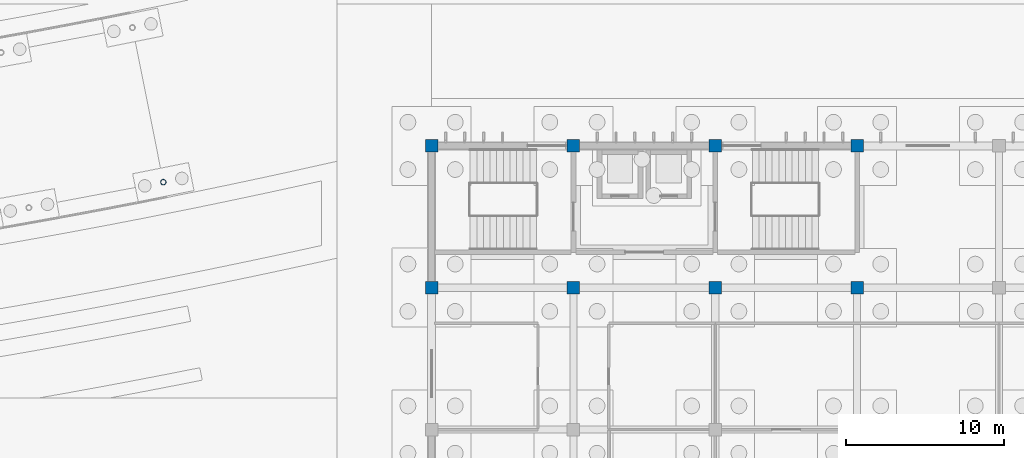
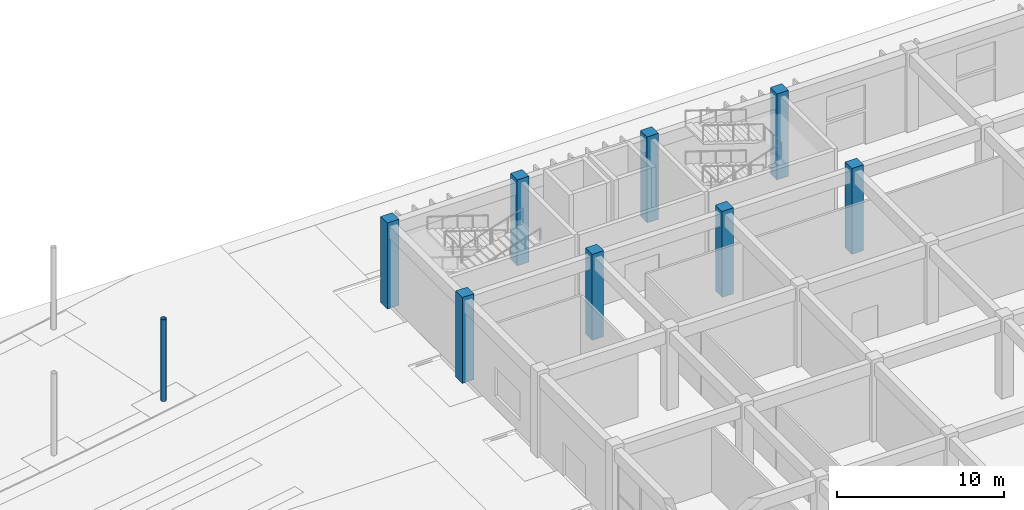
# One storey, part 33 of 198: 9 columns.
"""IFC4 building model written with IfcOpenShell, lengths in metres."""

from ifc_helpers import new_model, si_unit, direction, frame, origin, origin_2d, place, context, subcontext, project, spatial, rectangle, hollow_circle, extrude, material, material_profile, profile_set, type_object, element, save


model = new_model("IFC4")

# Units and contexts
model_context = context("Model", 3, precision=1e-05, world=origin(), true_north=direction((0.0, 1.0)))
body_context = subcontext(model_context, "Body", "Model", "MODEL_VIEW")
ifc_project = project(units=[si_unit("LENGTHUNIT", "METRE"), si_unit("AREAUNIT", "SQUARE_METRE"), si_unit("VOLUMEUNIT", "CUBIC_METRE"), si_unit("PLANEANGLEUNIT", "RADIAN"), si_unit("MASSUNIT", "GRAM", prefix="KILO")], contexts=[model_context])

# Site, building, storey
site_placement = place(None, origin())
site = spatial("IfcSite", under=ifc_project, at=site_placement, CompositionType="ELEMENT")
building_placement = place(site_placement, origin())
building = spatial("IfcBuilding", under=site, at=building_placement, Name="Opaline Strait Convention Centre", CompositionType="ELEMENT")
storey_placement = place(building_placement, origin())
storey = spatial("IfcBuildingStorey", under=building, at=storey_placement, Name="L00", CompositionType="ELEMENT", Elevation=0.0)

# Columns
ifc_material_1 = material(Name="Steel Q355B", Category="steel")
ifc_material_profile_1 = material_profile(ifc_material_1, hollow_circle(Radius=0.175537109375, WallThickness=0.01611328125, at=origin_2d()), Name="CHS 351x16")
ifc_profile_set_1 = profile_set([ifc_material_profile_1], Name="Steel Q355B")
column_type_1 = type_object("IfcColumnType", Name="Arcade column CHS 351x16", PredefinedType="COLUMN", material=ifc_profile_set_1)
column_placement = place(storey_placement, frame((261.980712890625, 177.697021484375, 0.0), z_axis=(0.0, 0.0, 1.0), x_axis=(1.0, 0.0, 0.0)))
element("IfcColumn", 1, at=column_placement, inside=storey, type_object=column_type_1, Name="Arcade column SC-I20", ObjectType="SCC1", PredefinedType="COLUMN", context=body_context, shape_type="SweptSolid", body=[
    extrude(hollow_circle(Radius=0.175537109375, WallThickness=0.01611328125, at=origin_2d()), origin(), (0.0, 0.0, 1.0), 6.0),
])
ifc_material_2 = material(Name="Concrete C40", Category="concrete")
ifc_material_profile_2 = material_profile(ifc_material_2, rectangle(XDim=0.800048828125, YDim=0.800048828125, at=origin_2d()), Name="RC 800x800")
ifc_profile_set_2 = profile_set([ifc_material_profile_2], Name="Concrete C40")
column_type_2 = type_object("IfcColumnType", Name="RC column 800x800 C40", PredefinedType="COLUMN", material=ifc_profile_set_2)
for number, where, z_axis, x_axis, name in (
    (2, (279.0, 171.0, -0.300048828125), (0.0, 0.0, 1.0), (1.0, 0.0, 0.0), "XC2 L00 at 32/V"),
    (3, (279.0, 180.0, -0.300048828125), (0.0, 0.0, 1.0), (1.0, 0.0, 0.0), "XC2 L00 at 32/W"),
    (4, (288.0, 171.0, -0.300048828125), (0.0, 0.0, 1.0), (1.0, 0.0, 0.0), "XC2 L00 at 33/V"),
    (5, (288.0, 180.0, -0.300048828125), (0.0, 0.0, 1.0), (1.0, 0.0, 0.0), "XC2 L00 at 33/W"),
    (6, (297.0, 171.0, -0.300048828125), (0.0, 0.0, 1.0), (1.0, 0.0, 0.0), "XC2 L00 at 34/V"),
    (7, (297.0, 180.0, -0.300048828125), (0.0, 0.0, 1.0), (1.0, 0.0, 0.0), "XC2 L00 at 34/W"),
    (8, (306.0, 171.0, -0.300048828125), (0.0, 0.0, 1.0), (1.0, 0.0, 0.0), "XC2 L00 at 35/V"),
    (9, (306.0, 180.0, -0.300048828125), (0.0, 0.0, 1.0), (1.0, 0.0, 0.0), "XC2 L00 at 35/W"),
):
    element("IfcColumn", number, at=place(storey_placement, frame(where, z_axis=z_axis, x_axis=x_axis)), inside=storey, type_object=column_type_2, Name=name, PredefinedType="COLUMN", context=body_context, shape_type="SweptSolid", body=[
        extrude(rectangle(XDim=0.800048828125, YDim=0.800048828125, at=origin_2d()), origin(), (0.0, 0.0, 1.0), 6.300048828125),
    ])

save(model, "model.ifc")
